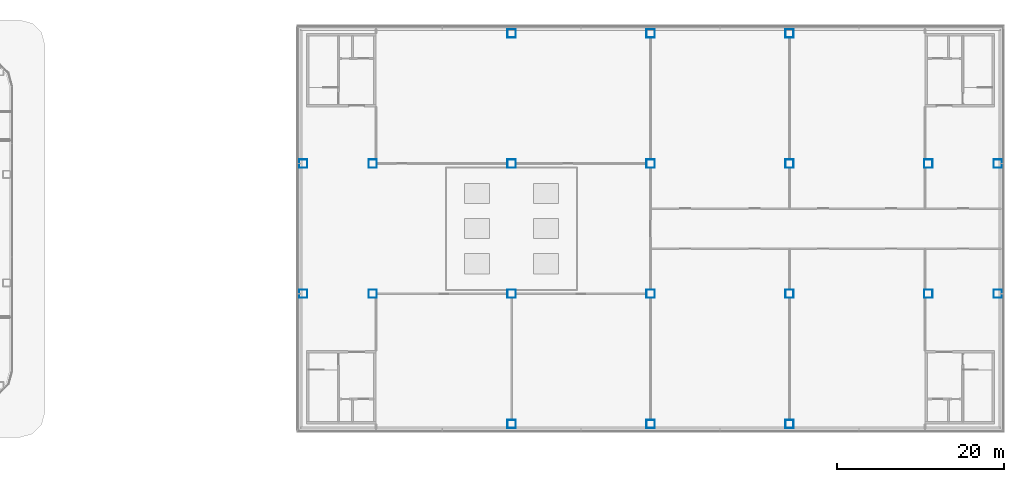
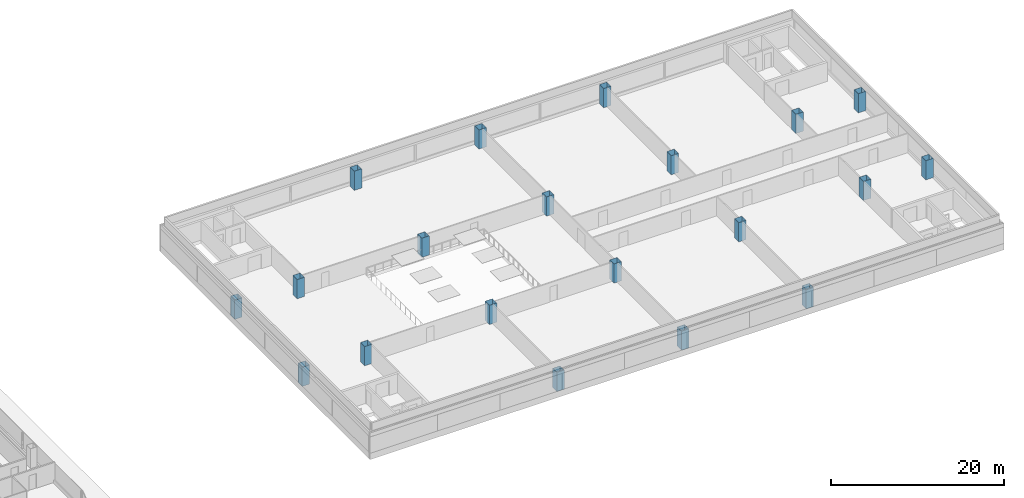
# One storey, part 2 of 42: 20 columns.
"""IFC4 building model written with IfcOpenShell, lengths in metres."""

from ifc_helpers import new_model, si_unit, direction, frame, origin, origin_2d, place, context, subcontext, project, spatial, hollow_rectangle, extrude, material, material_profile, profile_set, type_object, element, save


model = new_model("IFC4")

# Units and contexts
model_context = context("Model", 3, precision=1e-05, world=origin(), true_north=direction((0.0, 1.0)))
body_context = subcontext(model_context, "Body", "Model", "MODEL_VIEW")
ifc_project = project(units=[si_unit("LENGTHUNIT", "METRE"), si_unit("AREAUNIT", "SQUARE_METRE"), si_unit("VOLUMEUNIT", "CUBIC_METRE"), si_unit("PLANEANGLEUNIT", "RADIAN"), si_unit("MASSUNIT", "GRAM", prefix="KILO")], contexts=[model_context])

# Site, building, storey
site_placement = place(None, origin())
site = spatial("IfcSite", under=ifc_project, at=site_placement, CompositionType="ELEMENT")
building_placement = place(site_placement, origin())
building = spatial("IfcBuilding", under=site, at=building_placement, Name="Hakoniwa Tower and Hamabe Station Hall", CompositionType="ELEMENT")
storey_placement = place(building_placement, frame((0.0, 0.0, 19.800048828125)))
storey = spatial("IfcBuildingStorey", under=building, at=storey_placement, Name="L04", CompositionType="ELEMENT", Elevation=19.800048828125)

# Columns
ifc_material = material(Name="Steel BCP325", Category="steel")
ifc_material_profile = material_profile(ifc_material, hollow_rectangle(XDim=1.0, YDim=1.0, WallThickness=0.028076171875, at=origin_2d()), Name="STATION BOX COLUMN 1000X1000X28")
ifc_profile_set = profile_set([ifc_material_profile], Name="Steel BCP325")
column_type = type_object("IfcColumnType", Name="STATION BOX COLUMN 1000X1000X28", PredefinedType="COLUMN", material=ifc_profile_set)
for number, where, z_axis, x_axis, name in (
    (1, (85.949951171875, -7.800048828125, 0.0), (0.0, 0.0, 1.0), (1.0, 0.0, 0.0), "Station column S1C"),
    (2, (85.949951171875, 7.800048828125, 0.0), (0.0, 0.0, 1.0), (1.0, 0.0, 0.0), "Station column S1E"),
    (3, (94.27001953125, -7.800048828125, 0.0), (0.0, 0.0, 1.0), (1.0, 0.0, 0.0), "Station column S2C"),
    (4, (94.27001953125, 7.800048828125, 0.0), (0.0, 0.0, 1.0), (1.0, 0.0, 0.0), "Station column S2E"),
    (5, (110.909912109375, -23.39990234375, 0.0), (0.0, 0.0, 1.0), (1.0, 0.0, 0.0), "Station column S4A"),
    (6, (110.909912109375, -7.800048828125, 0.0), (0.0, 0.0, 1.0), (1.0, 0.0, 0.0), "Station column S4C"),
    (7, (110.909912109375, 7.800048828125, 0.0), (0.0, 0.0, 1.0), (1.0, 0.0, 0.0), "Station column S4E"),
    (8, (110.909912109375, 23.39990234375, 0.0), (0.0, 0.0, 1.0), (1.0, 0.0, 0.0), "Station column S4G"),
    (9, (127.550048828125, -23.39990234375, 0.0), (0.0, 0.0, 1.0), (1.0, 0.0, 0.0), "Station column S6A"),
    (10, (127.550048828125, -7.800048828125, 0.0), (0.0, 0.0, 1.0), (1.0, 0.0, 0.0), "Station column S6C"),
    (11, (127.550048828125, 7.800048828125, 0.0), (0.0, 0.0, 1.0), (1.0, 0.0, 0.0), "Station column S6E"),
    (12, (127.550048828125, 23.39990234375, 0.0), (0.0, 0.0, 1.0), (1.0, 0.0, 0.0), "Station column S6G"),
    (13, (144.18994140625, -23.39990234375, 0.0), (0.0, 0.0, 1.0), (1.0, 0.0, 0.0), "Station column S8A"),
    (14, (144.18994140625, -7.800048828125, 0.0), (0.0, 0.0, 1.0), (1.0, 0.0, 0.0), "Station column S8C"),
    (15, (144.18994140625, 7.800048828125, 0.0), (0.0, 0.0, 1.0), (1.0, 0.0, 0.0), "Station column S8E"),
    (16, (144.18994140625, 23.39990234375, 0.0), (0.0, 0.0, 1.0), (1.0, 0.0, 0.0), "Station column S8G"),
    (17, (160.830078125, -7.800048828125, 0.0), (0.0, 0.0, 1.0), (1.0, 0.0, 0.0), "Station column S10C"),
    (18, (160.830078125, 7.800048828125, 0.0), (0.0, 0.0, 1.0), (1.0, 0.0, 0.0), "Station column S10E"),
    (19, (169.14990234375, -7.800048828125, 0.0), (0.0, 0.0, 1.0), (1.0, 0.0, 0.0), "Station column S11C"),
    (20, (169.14990234375, 7.800048828125, 0.0), (0.0, 0.0, 1.0), (1.0, 0.0, 0.0), "Station column S11E"),
):
    element("IfcColumn", number, at=place(storey_placement, frame(where, z_axis=z_axis, x_axis=x_axis)), inside=storey, type_object=column_type, Name=name, PredefinedType="COLUMN", context=body_context, shape_type="SweptSolid", body=[
        extrude(hollow_rectangle(XDim=1.0, YDim=1.0, WallThickness=0.028076171875, at=origin_2d()), origin(), (0.0, 0.0, 1.0), 2.699951171875),
    ])

save(model, "model.ifc")
